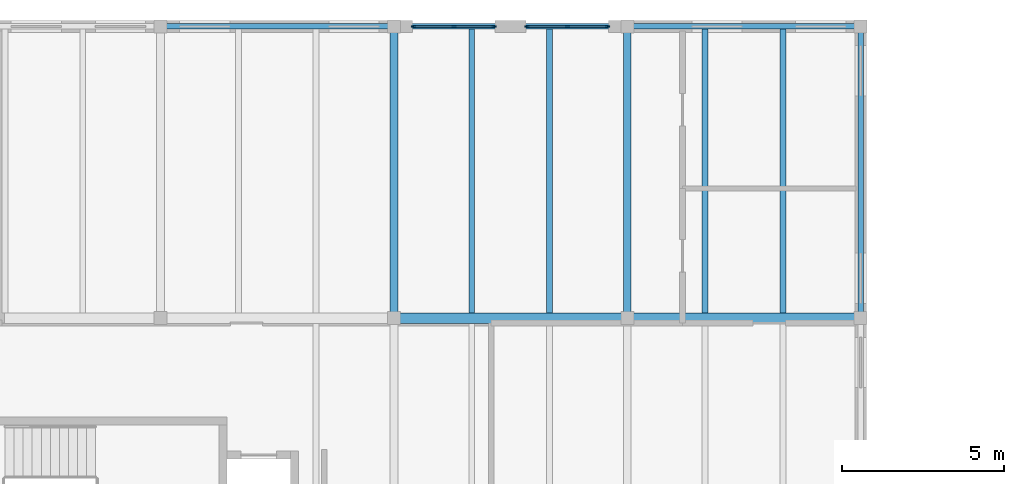
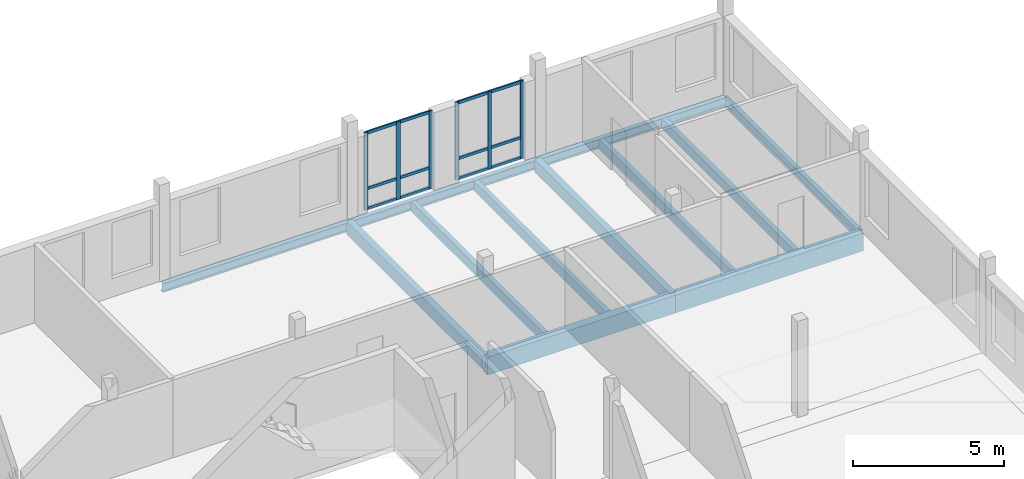
# One storey, part 21 of 57: 12 beams, 12 members, 2 elements without a shape of their own.
"""IFC4 building model written with IfcOpenShell, lengths in metres."""

from ifc_helpers import new_model, si_unit, direction, frame, origin, origin_2d, place, context, subcontext, project, spatial, rectangle, i_section, extrude, material, material_profile, profile_set, type_object, element, aggregate, save


model = new_model("IFC4")

# Units and contexts
model_context = context("Model", 3, precision=1e-05, world=origin(), true_north=direction((0.0, 1.0)))
body_context = subcontext(model_context, "Body", "Model", "MODEL_VIEW")
ifc_project = project(units=[si_unit("LENGTHUNIT", "METRE"), si_unit("AREAUNIT", "SQUARE_METRE"), si_unit("VOLUMEUNIT", "CUBIC_METRE"), si_unit("PLANEANGLEUNIT", "RADIAN"), si_unit("MASSUNIT", "GRAM", prefix="KILO")], contexts=[model_context])

# Site, building, storey
site_placement = place(None, origin())
site = spatial("IfcSite", under=ifc_project, at=site_placement, CompositionType="ELEMENT")
building_placement = place(site_placement, origin())
building = spatial("IfcBuilding", under=site, at=building_placement, Name="Kahlenmark Community Centre", CompositionType="ELEMENT")
storey_placement = place(building_placement, frame((0.0, 0.0, 13.800048828125)))
storey = spatial("IfcBuildingStorey", under=building, at=storey_placement, Name="L03", CompositionType="ELEMENT", Elevation=13.800048828125)

# Beams
ifc_material_1 = material(Name="Glulam GL32h", Category="wood")
ifc_material_profile_1 = material_profile(ifc_material_1, rectangle(XDim=0.239990234375, YDim=0.52001953125, at=origin_2d()), Name="GL32h 240x520")
ifc_profile_set_1 = profile_set([ifc_material_profile_1], Name="Glulam GL32h")
beam_type_1 = type_object("IfcBeamType", Name="BT-BEAM-GL32h240x520", PredefinedType="BEAM", material=ifc_profile_set_1)
for number, where, z_axis, x_axis, name in (
    (1, (72.39990234375, 106.0, -0.47998046875), (0.0, 1.0, 0.0), (-1.0, 0.0, 0.0), "L03 beam BG-GL32h240x520"),
    (2, (79.60009765625, 106.0, -0.47998046875), (0.0, 1.0, 0.0), (-1.0, 0.0, 0.0), "L03 beam BG-GL32h240x520"),
):
    element("IfcBeam", number, at=place(storey_placement, frame(where, z_axis=z_axis, x_axis=x_axis)), inside=storey, type_object=beam_type_1, Name=name, PredefinedType="BEAM", context=body_context, shape_type="SweptSolid", body=[
        extrude(rectangle(XDim=0.239990234375, YDim=0.52001953125, at=origin_2d()), origin(), (0.0, 0.0, 1.0), 9.0),
    ])
ifc_material_profile_2 = material_profile(ifc_material_1, rectangle(XDim=0.320068359375, YDim=0.719970703125, at=origin_2d()), Name="GL32h 320x720")
ifc_profile_set_2 = profile_set([ifc_material_profile_2], Name="Glulam GL32h")
beam_type_2 = type_object("IfcBeamType", Name="BT-BEAM-GL32h320x720", PredefinedType="BEAM", material=ifc_profile_set_2)
beam_1_placement = place(storey_placement, frame((72.39990234375, 106.0, -0.580078125), z_axis=(1.0, 0.0, 0.0), x_axis=(0.0, 1.0, 0.0)))
element("IfcBeam", 3, at=beam_1_placement, inside=storey, type_object=beam_type_2, Name="L03 beam BG-GL32h320x720", PredefinedType="BEAM", context=body_context, shape_type="SweptSolid", body=[
    extrude(rectangle(XDim=0.320068359375, YDim=0.719970703125, at=origin_2d()), origin(), (0.0, 0.0, 1.0), 7.2001953125),
])
beam_2_placement = place(storey_placement, frame((79.60009765625, 106.0, -0.580078125), z_axis=(1.0, 0.0, 0.0), x_axis=(0.0, 1.0, 0.0)))
element("IfcBeam", 4, at=beam_2_placement, inside=storey, type_object=beam_type_2, Name="L03 beam BG-GL32h320x720", PredefinedType="BEAM", context=body_context, shape_type="SweptSolid", body=[
    extrude(rectangle(XDim=0.320068359375, YDim=0.719970703125, at=origin_2d()), origin(), (0.0, 0.0, 1.0), 7.199951171875),
])
ifc_material_2 = material(Name="Glulam GL28h", Category="wood")
ifc_material_profile_3 = material_profile(ifc_material_2, rectangle(XDim=0.179931640625, YDim=0.39990234375, at=origin_2d()), Name="GL28h 180x400")
ifc_profile_set_3 = profile_set([ifc_material_profile_3], Name="Glulam GL28h")
beam_type_3 = type_object("IfcBeamType", Name="BT-JOIST-GL28h180x400", PredefinedType="JOIST", material=ifc_profile_set_3)
for number, where, z_axis, x_axis, name in (
    (5, (74.800048828125, 106.157958984375, -0.420166015625), (0.0, 1.0, 0.0), (-1.0, 0.0, 0.0), "L03 joist BJ-GL28h180x400"),
    (6, (77.199951171875, 106.157958984375, -0.420166015625), (0.0, 1.0, 0.0), (-1.0, 0.0, 0.0), "L03 joist BJ-GL28h180x400"),
    (7, (82.0, 106.157958984375, -0.420166015625), (0.0, 1.0, 0.0), (-1.0, 0.0, 0.0), "L03 joist BJ-GL28h180x400"),
    (8, (84.39990234375, 106.157958984375, -0.420166015625), (0.0, 1.0, 0.0), (-1.0, 0.0, 0.0), "L03 joist BJ-GL28h180x400"),
):
    element("IfcBeam", number, at=place(storey_placement, frame(where, z_axis=z_axis, x_axis=x_axis)), inside=storey, type_object=beam_type_3, Name=name, PredefinedType="JOIST", context=body_context, shape_type="SweptSolid", body=[
        extrude(rectangle(XDim=0.179931640625, YDim=0.39990234375, at=origin_2d()), origin(), (0.0, 0.0, 1.0), 8.759033203125),
    ])
ifc_material_3 = material(Name="Steel S355", Category="steel")
ifc_material_profile_4 = material_profile(ifc_material_3, i_section(OverallWidth=0.169921875, OverallDepth=0.360107421875, WebThickness=0.008056640625, FlangeThickness=0.0126953125, at=origin_2d()), Name="IPE 360")
ifc_profile_set_4 = profile_set([ifc_material_profile_4], Name="Steel S355")
beam_type_4 = type_object("IfcBeamType", Name="BT-SPANDREL-IPE360", PredefinedType="SPANDREL", material=ifc_profile_set_4)
beam_3_placement = place(storey_placement, frame((65.199951171875, 115.0, -0.400146484375), z_axis=(1.0, 0.0, 0.0), x_axis=(0.0, 1.0, 0.0)))
element("IfcBeam", 9, at=beam_3_placement, inside=storey, type_object=beam_type_4, Name="L03 spandrel SP-IPE360", PredefinedType="SPANDREL", context=body_context, shape_type="SweptSolid", body=[
    extrude(i_section(OverallWidth=0.169921875, OverallDepth=0.360107421875, WebThickness=0.008056640625, FlangeThickness=0.0126953125, at=origin_2d()), origin(), (0.0, 0.0, 1.0), 7.199951171875),
])
beam_4_placement = place(storey_placement, frame((72.39990234375, 115.0, -0.400146484375), z_axis=(1.0, 0.0, 0.0), x_axis=(0.0, 1.0, 0.0)))
element("IfcBeam", 10, at=beam_4_placement, inside=storey, type_object=beam_type_4, Name="L03 spandrel SP-IPE360", PredefinedType="SPANDREL", context=body_context, shape_type="SweptSolid", body=[
    extrude(i_section(OverallWidth=0.169921875, OverallDepth=0.360107421875, WebThickness=0.008056640625, FlangeThickness=0.0126953125, at=origin_2d()), origin(), (0.0, 0.0, 1.0), 7.2001953125),
])
beam_5_placement = place(storey_placement, frame((79.60009765625, 115.0, -0.400146484375), z_axis=(1.0, 0.0, 0.0), x_axis=(0.0, 1.0, 0.0)))
element("IfcBeam", 11, at=beam_5_placement, inside=storey, type_object=beam_type_4, Name="L03 spandrel SP-IPE360", PredefinedType="SPANDREL", context=body_context, shape_type="SweptSolid", body=[
    extrude(i_section(OverallWidth=0.169921875, OverallDepth=0.360107421875, WebThickness=0.008056640625, FlangeThickness=0.0126953125, at=origin_2d()), origin(), (0.0, 0.0, 1.0), 7.199951171875),
])
beam_6_placement = place(storey_placement, frame((86.800048828125, 106.0, -0.400146484375), z_axis=(0.0, 1.0, 0.0), x_axis=(-1.0, 0.0, 0.0)))
element("IfcBeam", 12, at=beam_6_placement, inside=storey, type_object=beam_type_4, Name="L03 spandrel SP-IPE360", PredefinedType="SPANDREL", context=body_context, shape_type="SweptSolid", body=[
    extrude(i_section(OverallWidth=0.169921875, OverallDepth=0.360107421875, WebThickness=0.008056640625, FlangeThickness=0.0126953125, at=origin_2d()), origin(), (0.0, 0.0, 1.0), 9.0),
])

# Curtain wall, members
ifc_material_4 = material(Name="Anodised aluminium unitised curtain wall", Category="aluminium")
curtain_wall_type = type_object("IfcCurtainWallType", Name="CWT-UNIT-254X315", PredefinedType="USERDEFINED", material=ifc_material_4)
curtain_wall_1_placement = place(storey_placement, origin())
curtain_wall_1 = element("IfcCurtainWall", 13, at=curtain_wall_1_placement, inside=storey, type_object=curtain_wall_type, Name="Unitised curtain wall CW-121", ObjectType="UNITISED CURTAIN WALL", PredefinedType="USERDEFINED")
ifc_material_5 = material(Name="Anodised aluminium 6063-T6", Category="aluminium")
ifc_material_profile_5 = material_profile(ifc_material_5, rectangle(XDim=0.06005859375, YDim=0.139892578125, at=origin_2d()), Name="ALU MULLION 60x140")
ifc_profile_set_5 = profile_set([ifc_material_profile_5], Name="Anodised aluminium 6063-T6")
member_type_1 = type_object("IfcMemberType", Name="MT-MUL-140", PredefinedType="MULLION", material=ifc_profile_set_5)
member_1_placement = place(storey_placement, frame((78.989990234375, 115.0, 0.0), z_axis=(0.0, 0.0, 1.0), x_axis=(0.0, -1.0, 0.0)))
member_1 = element("IfcMember", 14, at=member_1_placement, type_object=member_type_1, Name="CW-121 mullion 1", PredefinedType="MULLION", context=body_context, shape_type="SweptSolid", body=[
    extrude(rectangle(XDim=0.06005859375, YDim=0.139892578125, at=origin_2d()), origin(), (0.0, 0.0, 1.0), 3.14990234375),
])
member_2_placement = place(storey_placement, frame((77.75, 115.0, 0.0), z_axis=(0.0, 0.0, 1.0), x_axis=(0.0, -1.0, 0.0)))
member_2 = element("IfcMember", 15, at=member_2_placement, type_object=member_type_1, Name="CW-121 mullion 2", PredefinedType="MULLION", context=body_context, shape_type="SweptSolid", body=[
    extrude(rectangle(XDim=0.06005859375, YDim=0.139892578125, at=origin_2d()), origin(), (0.0, 0.0, 1.0), 3.14990234375),
])
member_3_placement = place(storey_placement, frame((76.510009765625, 115.0, 0.0), z_axis=(0.0, 0.0, 1.0), x_axis=(0.0, -1.0, 0.0)))
member_3 = element("IfcMember", 16, at=member_3_placement, type_object=member_type_1, Name="CW-121 mullion 3", PredefinedType="MULLION", context=body_context, shape_type="SweptSolid", body=[
    extrude(rectangle(XDim=0.06005859375, YDim=0.139892578125, at=origin_2d()), origin(), (0.0, 0.0, 1.0), 3.14990234375),
])

curtain_wall_2_placement = place(storey_placement, origin())
curtain_wall_2 = element("IfcCurtainWall", 17, at=curtain_wall_2_placement, inside=storey, type_object=curtain_wall_type, Name="Unitised curtain wall CW-122", ObjectType="UNITISED CURTAIN WALL", PredefinedType="USERDEFINED")
member_4_placement = place(storey_placement, frame((75.489990234375, 115.0, 0.0), z_axis=(0.0, 0.0, 1.0), x_axis=(0.0, -1.0, 0.0)))
member_4 = element("IfcMember", 18, at=member_4_placement, type_object=member_type_1, Name="CW-122 mullion 1", PredefinedType="MULLION", context=body_context, shape_type="SweptSolid", body=[
    extrude(rectangle(XDim=0.06005859375, YDim=0.139892578125, at=origin_2d()), origin(), (0.0, 0.0, 1.0), 3.14990234375),
])
member_5_placement = place(storey_placement, frame((74.25, 115.0, 0.0), z_axis=(0.0, 0.0, 1.0), x_axis=(0.0, -1.0, 0.0)))
member_5 = element("IfcMember", 19, at=member_5_placement, type_object=member_type_1, Name="CW-122 mullion 2", PredefinedType="MULLION", context=body_context, shape_type="SweptSolid", body=[
    extrude(rectangle(XDim=0.06005859375, YDim=0.139892578125, at=origin_2d()), origin(), (0.0, 0.0, 1.0), 3.14990234375),
])
member_6_placement = place(storey_placement, frame((73.010009765625, 115.0, 0.0), z_axis=(0.0, 0.0, 1.0), x_axis=(0.0, -1.0, 0.0)))
member_6 = element("IfcMember", 20, at=member_6_placement, type_object=member_type_1, Name="CW-122 mullion 3", PredefinedType="MULLION", context=body_context, shape_type="SweptSolid", body=[
    extrude(rectangle(XDim=0.06005859375, YDim=0.139892578125, at=origin_2d()), origin(), (0.0, 0.0, 1.0), 3.14990234375),
])

# Member
ifc_material_profile_6 = material_profile(ifc_material_5, rectangle(XDim=0.06005859375, YDim=0.1201171875, at=origin_2d()), Name="ALU TRANSOM 60x120")
ifc_profile_set_6 = profile_set([ifc_material_profile_6], Name="Anodised aluminium 6063-T6")
member_type_2 = type_object("IfcMemberType", Name="MT-TRN-120", PredefinedType="USERDEFINED", material=ifc_profile_set_6)
member_7_placement = place(storey_placement, frame((78.989990234375, 115.0, 0.0400390625), z_axis=(-1.0, 0.0, 0.0), x_axis=(0.0, -1.0, 0.0)))
member_7 = element("IfcMember", 21, at=member_7_placement, type_object=member_type_2, Name="CW-121 transom 1", ObjectType="TRANSOM", PredefinedType="USERDEFINED", context=body_context, shape_type="SweptSolid", body=[
    extrude(rectangle(XDim=0.06005859375, YDim=0.1201171875, at=origin_2d()), origin(), (0.0, 0.0, 1.0), 2.47998046875),
])

member_8_placement = place(storey_placement, frame((78.989990234375, 115.0, 0.849853515625), z_axis=(-1.0, 0.0, 0.0), x_axis=(0.0, -1.0, 0.0)))
member_8 = element("IfcMember", 22, at=member_8_placement, type_object=member_type_2, Name="CW-121 transom 2", ObjectType="TRANSOM", PredefinedType="USERDEFINED", context=body_context, shape_type="SweptSolid", body=[
    extrude(rectangle(XDim=0.06005859375, YDim=0.1201171875, at=origin_2d()), origin(), (0.0, 0.0, 1.0), 2.47998046875),
])

member_9_placement = place(storey_placement, frame((78.989990234375, 115.0, 3.10986328125), z_axis=(-1.0, 0.0, 0.0), x_axis=(0.0, -1.0, 0.0)))
member_9 = element("IfcMember", 23, at=member_9_placement, type_object=member_type_2, Name="CW-121 transom 3", ObjectType="TRANSOM", PredefinedType="USERDEFINED", context=body_context, shape_type="SweptSolid", body=[
    extrude(rectangle(XDim=0.06005859375, YDim=0.1201171875, at=origin_2d()), origin(), (0.0, 0.0, 1.0), 2.47998046875),
])

aggregate(curtain_wall_1, [member_1, member_2, member_3, member_7, member_8, member_9])

member_10_placement = place(storey_placement, frame((75.489990234375, 115.0, 0.0400390625), z_axis=(-1.0, 0.0, 0.0), x_axis=(0.0, -1.0, 0.0)))
member_10 = element("IfcMember", 24, at=member_10_placement, type_object=member_type_2, Name="CW-122 transom 1", ObjectType="TRANSOM", PredefinedType="USERDEFINED", context=body_context, shape_type="SweptSolid", body=[
    extrude(rectangle(XDim=0.06005859375, YDim=0.1201171875, at=origin_2d()), origin(), (0.0, 0.0, 1.0), 2.47998046875),
])

member_11_placement = place(storey_placement, frame((75.489990234375, 115.0, 0.849853515625), z_axis=(-1.0, 0.0, 0.0), x_axis=(0.0, -1.0, 0.0)))
member_11 = element("IfcMember", 25, at=member_11_placement, type_object=member_type_2, Name="CW-122 transom 2", ObjectType="TRANSOM", PredefinedType="USERDEFINED", context=body_context, shape_type="SweptSolid", body=[
    extrude(rectangle(XDim=0.06005859375, YDim=0.1201171875, at=origin_2d()), origin(), (0.0, 0.0, 1.0), 2.47998046875),
])

member_12_placement = place(storey_placement, frame((75.489990234375, 115.0, 3.10986328125), z_axis=(-1.0, 0.0, 0.0), x_axis=(0.0, -1.0, 0.0)))
member_12 = element("IfcMember", 26, at=member_12_placement, type_object=member_type_2, Name="CW-122 transom 3", ObjectType="TRANSOM", PredefinedType="USERDEFINED", context=body_context, shape_type="SweptSolid", body=[
    extrude(rectangle(XDim=0.06005859375, YDim=0.1201171875, at=origin_2d()), origin(), (0.0, 0.0, 1.0), 2.47998046875),
])

aggregate(curtain_wall_2, [member_4, member_5, member_6, member_10, member_11, member_12])

save(model, "model.ifc")
